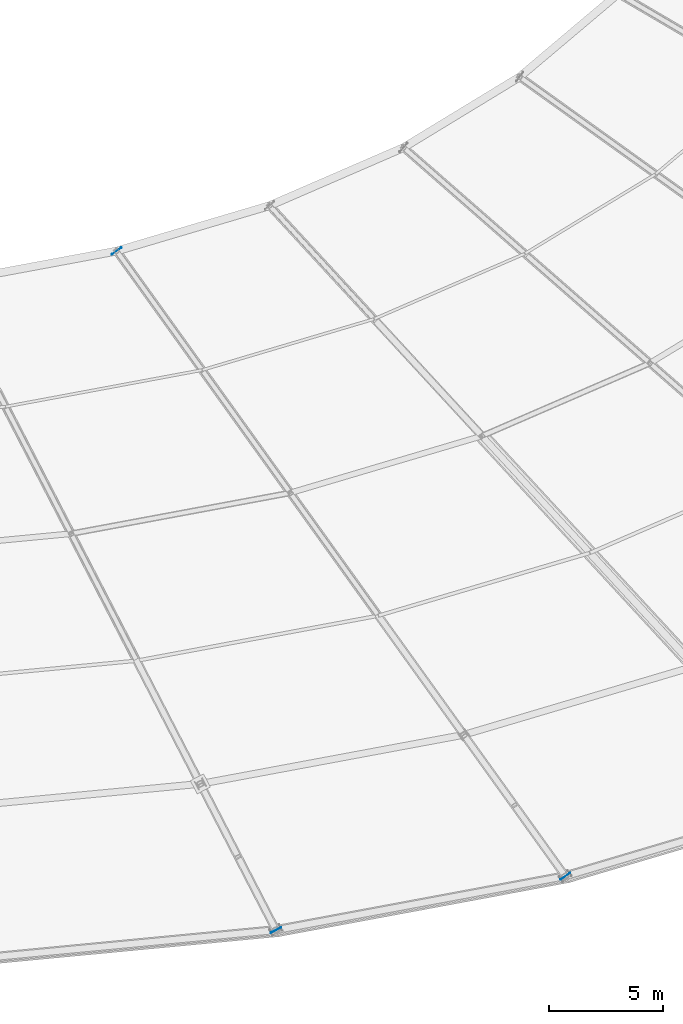
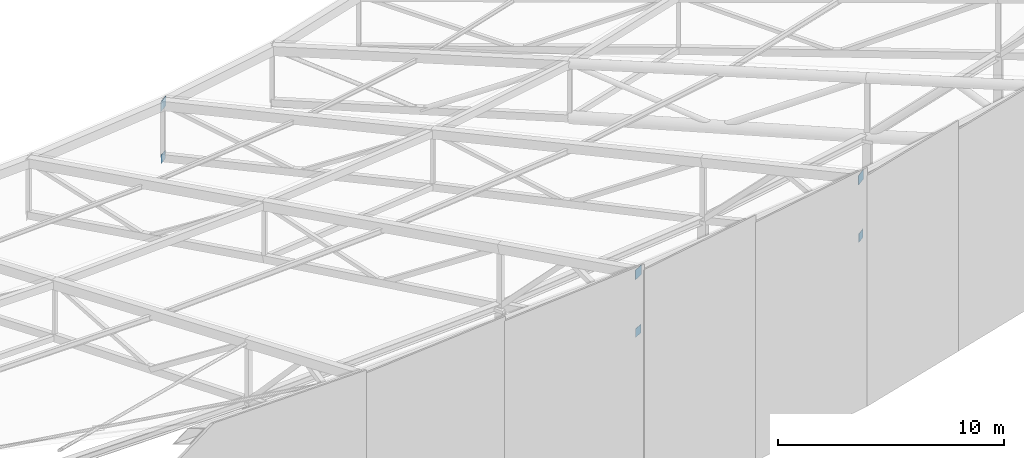
# One storey, part 121 of 143: 6 plates.
"""IFC4 building model written with IfcOpenShell, lengths in metres."""

from ifc_helpers import new_model, si_unit, direction, frame, origin, origin_2d, place, context, subcontext, project, spatial, rectangle, extrude, material, layer, layer_set, type_object, element, save


model = new_model("IFC4")

# Units and contexts
model_context = context("Model", 3, precision=1e-05, world=origin(), true_north=direction((0.0, 1.0)))
body_context = subcontext(model_context, "Body", "Model", "MODEL_VIEW")
ifc_project = project(units=[si_unit("LENGTHUNIT", "METRE"), si_unit("AREAUNIT", "SQUARE_METRE"), si_unit("VOLUMEUNIT", "CUBIC_METRE"), si_unit("PLANEANGLEUNIT", "RADIAN"), si_unit("MASSUNIT", "GRAM", prefix="KILO")], contexts=[model_context])

# Site, building, storey
site_placement = place(None, origin())
site = spatial("IfcSite", under=ifc_project, at=site_placement, CompositionType="ELEMENT")
building_placement = place(site_placement, origin())
building = spatial("IfcBuilding", under=site, at=building_placement, Name="Mphavela Belvedere Stadium", CompositionType="ELEMENT")
storey_placement = place(building_placement, frame((0.0, 0.0, 28.800048828125)))
storey = spatial("IfcBuildingStorey", under=building, at=storey_placement, Name="RF", CompositionType="ELEMENT", Elevation=28.800048828125)

# Plates
ifc_material_1 = material(Name="Steel S355", Category="steel")
ifc_layer_1 = layer(ifc_material_1, 0.01806640625)
ifc_layer_set_1 = layer_set([ifc_layer_1], Name="Steel S355")
plate_type_1 = type_object("IfcPlateType", Name="PLT-CAP-TRUSS-BC", PredefinedType="USERDEFINED", material=ifc_layer_set_1)
for number, where, z_axis, x_axis, name in (
    (1, (152.07275390625, 15.232666015625, 9.637939453125), (0.0, 0.0, 1.0), (0.458959712465, -0.888457079624, 0.0), "Roof truss RT-39 hollow-end cap plate out_bc"),
    (2, (145.068603515625, 45.10009765625, 3.366455078125), (0.0, 0.0, 1.0), (0.582974127943, -0.812490717577, 0.0), "Roof truss RT-40 hollow-end cap plate in_bc"),
    (3, (164.80126953125, 17.60302734375, 8.875), (0.0, 0.0, 1.0), (0.582974127943, -0.812490717577, 0.0), "Roof truss RT-40 hollow-end cap plate out_bc"),
):
    element("IfcPlate", number, at=place(storey_placement, frame(where, z_axis=z_axis, x_axis=x_axis)), inside=storey, type_object=plate_type_1, Name=name, ObjectType="GUSSET_PLATE", PredefinedType="USERDEFINED", context=body_context, shape_type="SweptSolid", body=[
        extrude(rectangle(XDim=0.01806640625, YDim=0.4599609375, at=origin_2d()), origin(), (0.0, 0.0, 1.0), 0.4599609375),
    ])
ifc_material_2 = material(Name="Steel S355", Category="steel")
ifc_layer_2 = layer(ifc_material_2, 0.02001953125)
ifc_layer_set_2 = layer_set([ifc_layer_2], Name="Steel S355")
plate_type_2 = type_object("IfcPlateType", Name="PLT-CAP-TRUSS-TC", PredefinedType="USERDEFINED", material=ifc_layer_set_2)
for number, where, z_axis, x_axis, name in (
    (4, (152.07275390625, 15.232666015625, 12.7578125), (0.0, 0.0, 1.0), (0.458959712465, -0.888457079624, 0.0), "Roof truss RT-39 hollow-end cap plate out_tc"),
    (5, (145.068603515625, 45.10009765625, 6.186279296875), (0.0, 0.0, 1.0), (0.582974127943, -0.812490717577, 0.0), "Roof truss RT-40 hollow-end cap plate in_tc"),
    (6, (164.80126953125, 17.60302734375, 11.9951171875), (0.0, 0.0, 1.0), (0.582974127943, -0.812490717577, 0.0), "Roof truss RT-40 hollow-end cap plate out_tc"),
):
    element("IfcPlate", number, at=place(storey_placement, frame(where, z_axis=z_axis, x_axis=x_axis)), inside=storey, type_object=plate_type_2, Name=name, ObjectType="GUSSET_PLATE", PredefinedType="USERDEFINED", context=body_context, shape_type="SweptSolid", body=[
        extrude(rectangle(XDim=0.02001953125, YDim=0.52001953125, at=origin_2d()), origin(), (0.0, 0.0, 1.0), 0.52001953125),
    ])

save(model, "model.ifc")
